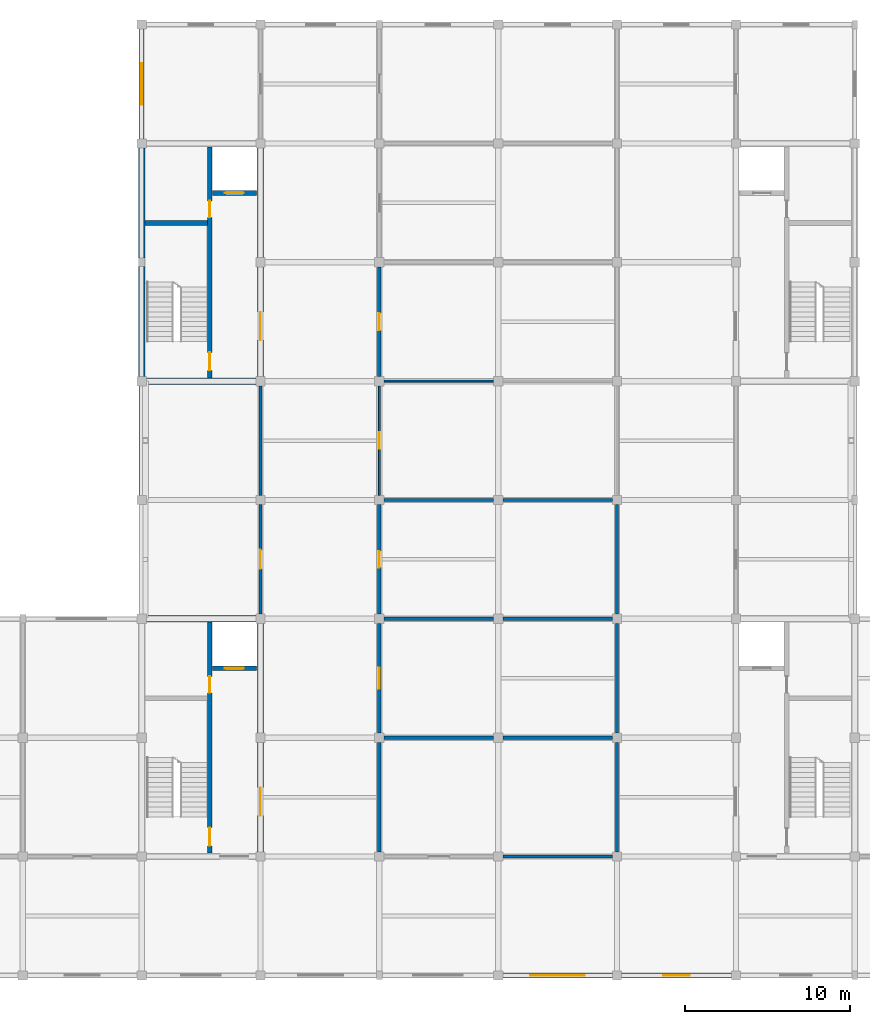
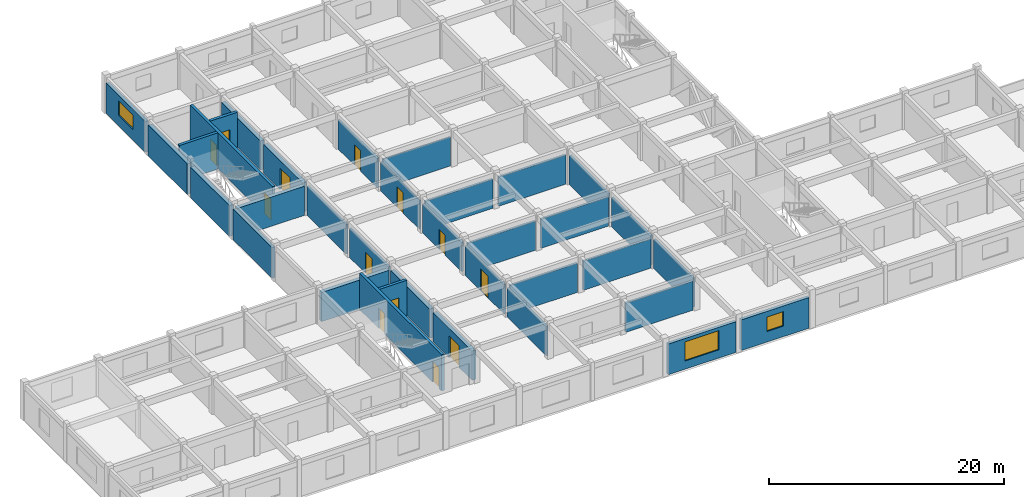
# One storey, part 6 of 10: 35 walls, 13 doors, 3 windows, 16 openings.
"""IFC4 building model written with IfcOpenShell, lengths in metres."""

from ifc_helpers import new_model, si_unit, direction, frame, frame_2d, origin, place, context, subcontext, project, spatial, rectangle, extrude, material, layer, layer_set, type_object, element, fill, save


model = new_model("IFC4")

# Units and contexts
model_context = context("Model", 3, precision=1e-05, world=origin(), true_north=direction((0.0, 1.0)))
body_context = subcontext(model_context, "Body", "Model", "MODEL_VIEW")
ifc_project = project(units=[si_unit("LENGTHUNIT", "METRE"), si_unit("AREAUNIT", "SQUARE_METRE"), si_unit("VOLUMEUNIT", "CUBIC_METRE"), si_unit("PLANEANGLEUNIT", "RADIAN"), si_unit("MASSUNIT", "GRAM", prefix="KILO")], contexts=[model_context])

# Site, building, storey
site_placement = place(None, origin())
site = spatial("IfcSite", under=ifc_project, at=site_placement, CompositionType="ELEMENT")
building_placement = place(site_placement, origin())
building = spatial("IfcBuilding", under=site, at=building_placement, Name="Cendaluz Park School", CompositionType="ELEMENT")
storey_placement = place(building_placement, frame((0.0, 0.0, 34.800048828125)))
storey = spatial("IfcBuildingStorey", under=building, at=storey_placement, Name="L08", CompositionType="ELEMENT", Elevation=34.800048828125)

# Wall, opening, door
ifc_material_1 = material(Name="Gypsum Plasterboard on Cold-Formed Stud", Category="gypsum")
ifc_layer_1 = layer(ifc_material_1, 0.199951171875)
ifc_layer_set_1 = layer_set([ifc_layer_1], Name="Gypsum Plasterboard on Cold-Formed Stud")
wall_type_1 = type_object("IfcWallType", Name="W-AC20", PredefinedType="PARTITIONING", material=ifc_layer_set_1)
wall_1_placement = place(storey_placement, frame((72.0, 29.080078125, 0.0), z_axis=(0.0, 0.0, 1.0), x_axis=(0.0, 1.0, 0.0)))
wall_1 = element("IfcWall", 1, at=wall_1_placement, inside=storey, type_object=wall_type_1, Name="WL-FI-BN6", PredefinedType="PARTITIONING", context=body_context, shape_type="SweptSolid", body=[
    extrude(rectangle(XDim=6.639892578125, YDim=0.199951171875, at=frame_2d((3.31982421875, 0.0))), origin(), (0.0, 0.0, 1.0), 3.030029296875),
])
opening_1_placement = place(wall_1_placement, frame((2.739990234375, 0.0, 0.0)))
opening_1 = element("IfcOpeningElement", 2, at=opening_1_placement, cuts=wall_1, Name="Opening DCL-07", PredefinedType="OPENING", context=body_context, shape_type="SweptSolid", body=[
    extrude(rectangle(XDim=1.159912109375, YDim=2.219970703125, at=frame_2d((0.580078125, 1.10986328125))), frame((0.0, 0.112060546875, 0.0), z_axis=(0.0, -1.0, 0.0), x_axis=(1.0, 0.0, 0.0)), (0.0, 0.0, 1.0), 0.223876953125),
])
ifc_material_2 = material(Name="Solid Core Hardwood", Category="wood")
door_type_1 = type_object("IfcDoorType", Name="DCL-07", OperationType="NOTDEFINED", PredefinedType="DOOR", material=ifc_material_2)
door_1_placement = place(opening_1_placement, origin())
door_1 = element("IfcDoor", 3, at=door_1_placement, inside=storey, type_object=door_type_1, Name="D-L08-026", OperationType="SINGLE_SWING_LEFT", OverallHeight=2.219970703125, OverallWidth=1.159912109375, PredefinedType="DOOR", context=body_context, shape_type="SweptSolid", body=[
    extrude(rectangle(XDim=1.159912109375, YDim=2.219970703125, at=frame_2d((0.580078125, 1.10986328125))), frame((0.0, 0.02490234375, 0.0), z_axis=(0.0, -1.0, 0.0), x_axis=(1.0, 0.0, 0.0)), (0.0, 0.0, 1.0), 0.050048828125),
])
fill(opening_1, door_1)

# Walls
wall_2_placement = place(storey_placement, frame((72.0, 36.280029296875, 0.0), z_axis=(0.0, 0.0, 1.0), x_axis=(0.0, 1.0, 0.0)))
element("IfcWall", 4, at=wall_2_placement, inside=storey, type_object=wall_type_1, Name="WL-FI-BN7", PredefinedType="PARTITIONING", context=body_context, shape_type="SweptSolid", body=[
    extrude(rectangle(XDim=6.639892578125, YDim=0.199951171875, at=frame_2d((3.31982421875, 0.0))), origin(), (0.0, 0.0, 1.0), 3.030029296875),
])
for number, where, z_axis, x_axis, name in (
    (5, (79.47998046875, 21.60009765625, 0.0), (0.0, 0.0, 1.0), (1.0, 0.0, 0.0), "WL-FI-BO0"),
    (6, (79.199951171875, 14.679931640625, 0.0), (0.0, 0.0, 1.0), (0.0, 1.0, 0.0), "WL-FI-BO1"),
    (7, (86.679931640625, 14.39990234375, 0.0), (0.0, 0.0, 1.0), (1.0, 0.0, 0.0), "WL-FI-BO2"),
    (8, (86.679931640625, 21.60009765625, 0.0), (0.0, 0.0, 1.0), (1.0, 0.0, 0.0), "WL-FI-BO3"),
    (9, (93.60009765625, 14.679931640625, 0.0), (0.0, 0.0, 1.0), (0.0, 1.0, 0.0), "WL-FI-BO4"),
    (10, (79.47998046875, 28.800048828125, 0.0), (0.0, 0.0, 1.0), (1.0, 0.0, 0.0), "WL-FI-BO5"),
):
    element("IfcWall", number, at=place(storey_placement, frame(where, z_axis=z_axis, x_axis=x_axis)), inside=storey, type_object=wall_type_1, Name=name, PredefinedType="PARTITIONING", context=body_context, shape_type="SweptSolid", body=[
        extrude(rectangle(XDim=6.64013671875, YDim=0.199951171875, at=frame_2d((3.320068359375, 0.0))), origin(), (0.0, 0.0, 1.0), 3.030029296875),
    ])

# Wall, opening, door
wall_3_placement = place(storey_placement, frame((79.199951171875, 21.8798828125, 0.0), z_axis=(0.0, 0.0, 1.0), x_axis=(0.0, 1.0, 0.0)))
wall_3 = element("IfcWall", 11, at=wall_3_placement, inside=storey, type_object=wall_type_1, Name="WL-FI-BO6", PredefinedType="PARTITIONING", context=body_context, shape_type="SweptSolid", body=[
    extrude(rectangle(XDim=6.64013671875, YDim=0.199951171875, at=frame_2d((3.320068359375, 0.0))), origin(), (0.0, 0.0, 1.0), 3.030029296875),
])
opening_2_placement = place(wall_3_placement, frame((2.679931640625, 0.0, 0.0)))
opening_2 = element("IfcOpeningElement", 12, at=opening_2_placement, cuts=wall_3, Name="Opening DCL-10", PredefinedType="OPENING", context=body_context, shape_type="SweptSolid", body=[
    extrude(rectangle(XDim=1.280029296875, YDim=2.280029296875, at=frame_2d((0.64013671875, 1.14013671875))), frame((0.0, 0.112060546875, 0.0), z_axis=(0.0, -1.0, 0.0), x_axis=(1.0, 0.0, 0.0)), (0.0, 0.0, 1.0), 0.223876953125),
])
door_type_2 = type_object("IfcDoorType", Name="DCL-10", OperationType="NOTDEFINED", PredefinedType="DOOR", material=ifc_material_2)
door_2_placement = place(opening_2_placement, frame((1.280029296875, 0.0, 0.0), z_axis=(0.0, 0.0, 1.0), x_axis=(-1.0, 0.0, 0.0)))
door_2 = element("IfcDoor", 13, at=door_2_placement, inside=storey, type_object=door_type_2, Name="D-L08-029", OperationType="SINGLE_SWING_RIGHT", OverallHeight=2.280029296875, OverallWidth=1.280029296875, PredefinedType="DOOR", context=body_context, shape_type="SweptSolid", body=[
    extrude(rectangle(XDim=1.280029296875, YDim=2.280029296875, at=frame_2d((0.64013671875, 1.14013671875))), frame((0.0, 0.02490234375, 0.0), z_axis=(0.0, -1.0, 0.0), x_axis=(1.0, 0.0, 0.0)), (0.0, 0.0, 1.0), 0.050048828125),
])
fill(opening_2, door_2)

# Walls
for number, where, z_axis, x_axis, name in (
    (14, (86.679931640625, 28.800048828125, 0.0), (0.0, 0.0, 1.0), (1.0, 0.0, 0.0), "WL-FI-BO7"),
    (15, (93.60009765625, 21.8798828125, 0.0), (0.0, 0.0, 1.0), (0.0, 1.0, 0.0), "WL-FI-BO8"),
    (16, (79.47998046875, 36.0, 0.0), (0.0, 0.0, 1.0), (1.0, 0.0, 0.0), "WL-FI-BO9"),
):
    element("IfcWall", number, at=place(storey_placement, frame(where, z_axis=z_axis, x_axis=x_axis)), inside=storey, type_object=wall_type_1, Name=name, PredefinedType="PARTITIONING", context=body_context, shape_type="SweptSolid", body=[
        extrude(rectangle(XDim=6.64013671875, YDim=0.199951171875, at=frame_2d((3.320068359375, 0.0))), origin(), (0.0, 0.0, 1.0), 3.030029296875),
    ])

# Wall, opening, door
wall_4_placement = place(storey_placement, frame((79.199951171875, 29.080078125, 0.0), z_axis=(0.0, 0.0, 1.0), x_axis=(0.0, 1.0, 0.0)))
wall_4 = element("IfcWall", 17, at=wall_4_placement, inside=storey, type_object=wall_type_1, Name="WL-FI-BP0", PredefinedType="PARTITIONING", context=body_context, shape_type="SweptSolid", body=[
    extrude(rectangle(XDim=6.639892578125, YDim=0.199951171875, at=frame_2d((3.31982421875, 0.0))), origin(), (0.0, 0.0, 1.0), 3.030029296875),
])
opening_3_placement = place(wall_4_placement, frame((2.820068359375, 0.0, 0.0)))
opening_3 = element("IfcOpeningElement", 18, at=opening_3_placement, cuts=wall_4, Name="Opening DCL-01", PredefinedType="OPENING", context=body_context, shape_type="SweptSolid", body=[
    extrude(rectangle(XDim=1.0, YDim=2.10009765625, at=frame_2d((0.5, 1.050048828125))), frame((0.0, 0.112060546875, 0.0), z_axis=(0.0, -1.0, 0.0), x_axis=(1.0, 0.0, 0.0)), (0.0, 0.0, 1.0), 0.223876953125),
])
door_type_3 = type_object("IfcDoorType", Name="DCL-01", OperationType="NOTDEFINED", PredefinedType="DOOR", material=ifc_material_2)
door_3_placement = place(opening_3_placement, frame((1.0, 0.0, 0.0), z_axis=(0.0, 0.0, 1.0), x_axis=(-1.0, 0.0, 0.0)))
door_3 = element("IfcDoor", 19, at=door_3_placement, inside=storey, type_object=door_type_3, Name="D-L08-030", OperationType="SINGLE_SWING_LEFT", OverallHeight=2.10009765625, OverallWidth=1.0, PredefinedType="DOOR", context=body_context, shape_type="SweptSolid", body=[
    extrude(rectangle(XDim=1.0, YDim=2.10009765625, at=frame_2d((0.5, 1.050048828125))), frame((0.0, 0.02490234375, 0.0), z_axis=(0.0, -1.0, 0.0), x_axis=(1.0, 0.0, 0.0)), (0.0, 0.0, 1.0), 0.050048828125),
])
fill(opening_3, door_3)

# Walls
wall_5_placement = place(storey_placement, frame((86.679931640625, 36.0, 0.0), z_axis=(0.0, 0.0, 1.0), x_axis=(1.0, 0.0, 0.0)))
element("IfcWall", 20, at=wall_5_placement, inside=storey, type_object=wall_type_1, Name="WL-FI-BP1", PredefinedType="PARTITIONING", context=body_context, shape_type="SweptSolid", body=[
    extrude(rectangle(XDim=6.64013671875, YDim=0.199951171875, at=frame_2d((3.320068359375, 0.0))), origin(), (0.0, 0.0, 1.0), 3.030029296875),
])
wall_6_placement = place(storey_placement, frame((93.60009765625, 29.080078125, 0.0), z_axis=(0.0, 0.0, 1.0), x_axis=(0.0, 1.0, 0.0)))
element("IfcWall", 21, at=wall_6_placement, inside=storey, type_object=wall_type_1, Name="WL-FI-BP2", PredefinedType="PARTITIONING", context=body_context, shape_type="SweptSolid", body=[
    extrude(rectangle(XDim=6.639892578125, YDim=0.199951171875, at=frame_2d((3.31982421875, 0.0))), origin(), (0.0, 0.0, 1.0), 3.030029296875),
])

# Wall, opening, door
wall_7_placement = place(storey_placement, frame((79.199951171875, 43.47998046875, 0.0), z_axis=(0.0, 0.0, 1.0), x_axis=(0.0, 1.0, 0.0)))
wall_7 = element("IfcWall", 22, at=wall_7_placement, inside=storey, type_object=wall_type_1, Name="WL-FI-BP8", PredefinedType="PARTITIONING", context=body_context, shape_type="SweptSolid", body=[
    extrude(rectangle(XDim=6.64013671875, YDim=0.199951171875, at=frame_2d((3.320068359375, 0.0))), origin(), (0.0, 0.0, 1.0), 3.030029296875),
])
opening_4_placement = place(wall_7_placement, frame((2.800048828125, 0.0, 0.0)))
opening_4 = element("IfcOpeningElement", 23, at=opening_4_placement, cuts=wall_7, Name="Opening DCL-03", PredefinedType="OPENING", context=body_context, shape_type="SweptSolid", body=[
    extrude(rectangle(XDim=1.0400390625, YDim=2.139892578125, at=frame_2d((0.52001953125, 1.06982421875))), frame((0.0, 0.112060546875, 0.0), z_axis=(0.0, -1.0, 0.0), x_axis=(1.0, 0.0, 0.0)), (0.0, 0.0, 1.0), 0.223876953125),
])
door_type_4 = type_object("IfcDoorType", Name="DCL-03", OperationType="NOTDEFINED", PredefinedType="DOOR", material=ifc_material_2)
door_4_placement = place(opening_4_placement, frame((1.0400390625, 0.0, 0.0), z_axis=(0.0, 0.0, 1.0), x_axis=(-1.0, 0.0, 0.0)))
door_4 = element("IfcDoor", 24, at=door_4_placement, inside=storey, type_object=door_type_4, Name="D-L08-032", OperationType="SINGLE_SWING_LEFT", OverallHeight=2.139892578125, OverallWidth=1.0400390625, PredefinedType="DOOR", context=body_context, shape_type="SweptSolid", body=[
    extrude(rectangle(XDim=1.0400390625, YDim=2.139892578125, at=frame_2d((0.52001953125, 1.06982421875))), frame((0.0, 0.02490234375, 0.0), z_axis=(0.0, -1.0, 0.0), x_axis=(1.0, 0.0, 0.0)), (0.0, 0.0, 1.0), 0.050048828125),
])
fill(opening_4, door_4)

# Wall
ifc_material_3 = material(Name="Cross-laminated timber CLT C24", Category="wood")
ifc_layer_2 = layer(ifc_material_3, 0.300048828125)
ifc_layer_set_2 = layer_set([ifc_layer_2], Name="Cross-laminated timber CLT C24")
wall_type_2 = type_object("IfcWallType", Name="W-EX30", PredefinedType="SOLIDWALL", material=ifc_layer_set_2)
wall_8_placement = place(storey_placement, frame((64.800048828125, 36.280029296875, 0.0), z_axis=(0.0, 0.0, 1.0), x_axis=(0.0, 1.0, 0.0)))
element("IfcWall", 25, at=wall_8_placement, inside=storey, type_object=wall_type_2, Name="WL-FI-AB3", PredefinedType="SOLIDWALL", context=body_context, shape_type="SweptSolid", body=[
    extrude(rectangle(XDim=6.639892578125, YDim=0.300048828125, at=frame_2d((3.31982421875, 0.0))), origin(), (0.0, 0.0, 1.0), 3.18994140625),
])

# Wall, opening, window
wall_9_placement = place(storey_placement, frame((64.800048828125, 57.8798828125, 0.0), z_axis=(0.0, 0.0, 1.0), x_axis=(0.0, 1.0, 0.0)))
wall_9 = element("IfcWall", 26, at=wall_9_placement, inside=storey, type_object=wall_type_2, Name="WL-FI-AB5", PredefinedType="SOLIDWALL", context=body_context, shape_type="SweptSolid", body=[
    extrude(rectangle(XDim=6.64013671875, YDim=0.300048828125, at=frame_2d((3.320068359375, 0.0))), origin(), (0.0, 0.0, 1.0), 3.18994140625),
])
opening_5_placement = place(wall_9_placement, frame((2.070068359375, 0.0, 1.10009765625)))
opening_5 = element("IfcOpeningElement", 27, at=opening_5_placement, cuts=wall_9, Name="Opening WN-19", PredefinedType="OPENING", context=body_context, shape_type="SweptSolid", body=[
    extrude(rectangle(XDim=2.5, YDim=1.5, at=frame_2d((1.25, 0.75))), frame((0.0, 0.162109375, 0.0), z_axis=(0.0, -1.0, 0.0), x_axis=(1.0, 0.0, 0.0)), (0.0, 0.0, 1.0), 0.323974609375),
])
ifc_material_4 = material(Name="Tempered Low-E Double Glazing", Category="glass")
window_type_1 = type_object("IfcWindowType", Name="WN-19", PartitioningType="SINGLE_PANEL", PredefinedType="WINDOW", material=ifc_material_4)
window_1_placement = place(opening_5_placement, origin())
window_1 = element("IfcWindow", 28, at=window_1_placement, inside=storey, type_object=window_type_1, Name="WN-L08-014", OverallHeight=1.5, OverallWidth=2.5, PartitioningType="SINGLE_PANEL", PredefinedType="WINDOW", context=body_context, shape_type="SweptSolid", body=[
    extrude(rectangle(XDim=2.5, YDim=1.5, at=frame_2d((1.25, 0.75))), frame((0.0, 0.030029296875, 0.0), z_axis=(0.0, -1.0, 0.0), x_axis=(1.0, 0.0, 0.0)), (0.0, 0.0, 1.0), 0.06005859375),
])
fill(opening_5, window_1)

wall_10_placement = place(storey_placement, frame((86.679931640625, 7.199951171875, 0.0), z_axis=(0.0, 0.0, 1.0), x_axis=(1.0, 0.0, 0.0)))
wall_10 = element("IfcWall", 29, at=wall_10_placement, inside=storey, type_object=wall_type_2, Name="WL-FI-AC0", PredefinedType="SOLIDWALL", context=body_context, shape_type="SweptSolid", body=[
    extrude(rectangle(XDim=6.64013671875, YDim=0.300048828125, at=frame_2d((3.320068359375, 0.0))), origin(), (0.0, 0.0, 1.0), 3.18994140625),
])
opening_6_placement = place(wall_10_placement, frame((1.669921875, 0.0, 0.85009765625)))
opening_6 = element("IfcOpeningElement", 30, at=opening_6_placement, cuts=wall_10, Name="Opening WN-15", PredefinedType="OPENING", context=body_context, shape_type="SweptSolid", body=[
    extrude(rectangle(XDim=3.300048828125, YDim=2.0, at=frame_2d((1.64990234375, 1.0))), frame((0.0, 0.162109375, 0.0), z_axis=(0.0, -1.0, 0.0), x_axis=(1.0, 0.0, 0.0)), (0.0, 0.0, 1.0), 0.323974609375),
])
window_type_2 = type_object("IfcWindowType", Name="WN-15", PartitioningType="SINGLE_PANEL", PredefinedType="WINDOW", material=ifc_material_4)
window_2_placement = place(opening_6_placement, origin())
window_2 = element("IfcWindow", 31, at=window_2_placement, inside=storey, type_object=window_type_2, Name="WN-L08-019", OverallHeight=2.0, OverallWidth=3.300048828125, PartitioningType="SINGLE_PANEL", PredefinedType="WINDOW", context=body_context, shape_type="SweptSolid", body=[
    extrude(rectangle(XDim=3.300048828125, YDim=2.0, at=frame_2d((1.64990234375, 1.0))), frame((0.0, 0.030029296875, 0.0), z_axis=(0.0, -1.0, 0.0), x_axis=(1.0, 0.0, 0.0)), (0.0, 0.0, 1.0), 0.06005859375),
])
fill(opening_6, window_2)

wall_11_placement = place(storey_placement, frame((93.8798828125, 7.199951171875, 0.0), z_axis=(0.0, 0.0, 1.0), x_axis=(1.0, 0.0, 0.0)))
wall_11 = element("IfcWall", 32, at=wall_11_placement, inside=storey, type_object=wall_type_2, Name="WL-FI-AC2", PredefinedType="SOLIDWALL", context=body_context, shape_type="SweptSolid", body=[
    extrude(rectangle(XDim=6.64013671875, YDim=0.300048828125, at=frame_2d((3.320068359375, 0.0))), origin(), (0.0, 0.0, 1.0), 3.18994140625),
])
opening_7_placement = place(wall_11_placement, frame((2.52001953125, 0.0, 1.10009765625)))
opening_7 = element("IfcOpeningElement", 33, at=opening_7_placement, cuts=wall_11, Name="Opening WN-16", PredefinedType="OPENING", context=body_context, shape_type="SweptSolid", body=[
    extrude(rectangle(XDim=1.60009765625, YDim=1.5, at=frame_2d((0.800048828125, 0.75))), frame((0.0, 0.162109375, 0.0), z_axis=(0.0, -1.0, 0.0), x_axis=(1.0, 0.0, 0.0)), (0.0, 0.0, 1.0), 0.323974609375),
])
window_type_3 = type_object("IfcWindowType", Name="WN-16", PartitioningType="SINGLE_PANEL", PredefinedType="WINDOW", material=ifc_material_4)
window_3_placement = place(opening_7_placement, origin())
window_3 = element("IfcWindow", 34, at=window_3_placement, inside=storey, type_object=window_type_3, Name="WN-L08-021", OverallHeight=1.5, OverallWidth=1.60009765625, PartitioningType="SINGLE_PANEL", PredefinedType="WINDOW", context=body_context, shape_type="SweptSolid", body=[
    extrude(rectangle(XDim=1.60009765625, YDim=1.5, at=frame_2d((0.800048828125, 0.75))), frame((0.0, 0.030029296875, 0.0), z_axis=(0.0, -1.0, 0.0), x_axis=(1.0, 0.0, 0.0)), (0.0, 0.0, 1.0), 0.06005859375),
])
fill(opening_7, window_3)

# Wall, openings, doors
ifc_material_5 = material(Name="Concrete C40/50", Category="concrete")
ifc_layer_3 = layer(ifc_material_5, 0.280029296875)
ifc_layer_set_3 = layer_set([ifc_layer_3], Name="Concrete C40/50")
wall_type_3 = type_object("IfcWallType", Name="W-FW28", PredefinedType="SHEAR", material=ifc_layer_set_3)
wall_12_placement = place(storey_placement, frame((68.919921875, 14.60009765625, 0.0), z_axis=(0.0, 0.0, 1.0), x_axis=(0.0, 1.0, 0.0)))
wall_12 = element("IfcWall", 35, at=wall_12_placement, inside=storey, type_object=wall_type_3, Name="WL-FI-BI9", PredefinedType="SHEAR", context=body_context, shape_type="SweptSolid", body=[
    extrude(rectangle(XDim=14.0, YDim=0.280029296875, at=frame_2d((7.0, 0.0))), origin(), (0.0, 0.0, 1.0), 3.760009765625),
])
opening_8_placement = place(wall_12_placement, frame((0.449951171875, 0.0, 0.0)))
opening_8 = element("IfcOpeningElement", 36, at=opening_8_placement, cuts=wall_12, Name="Opening DST-01", PredefinedType="OPENING", context=body_context, shape_type="SweptSolid", body=[
    extrude(rectangle(XDim=1.10009765625, YDim=2.14990234375, at=frame_2d((0.550048828125, 1.074951171875))), frame((0.0, 0.152099609375, 0.0), z_axis=(0.0, -1.0, 0.0), x_axis=(1.0, 0.0, 0.0)), (0.0, 0.0, 1.0), 0.303955078125),
])
opening_9_placement = place(wall_12_placement, frame((9.719970703125, 0.0, 0.0)))
opening_9 = element("IfcOpeningElement", 37, at=opening_9_placement, cuts=wall_12, Name="Opening DFC-01", PredefinedType="OPENING", context=body_context, shape_type="SweptSolid", body=[
    extrude(rectangle(XDim=1.0, YDim=2.14990234375, at=frame_2d((0.5, 1.074951171875))), frame((0.0, 0.152099609375, 0.0), z_axis=(0.0, -1.0, 0.0), x_axis=(1.0, 0.0, 0.0)), (0.0, 0.0, 1.0), 0.303955078125),
])
door_type_5 = type_object("IfcDoorType", Name="DFC-01", OperationType="NOTDEFINED", PredefinedType="DOOR", material=ifc_material_2)
door_5_placement = place(opening_9_placement, origin())
door_5 = element("IfcDoor", 38, at=door_5_placement, inside=storey, type_object=door_type_5, Name="D-L08-004", OperationType="SINGLE_SWING_RIGHT", OverallHeight=2.14990234375, OverallWidth=1.0, PredefinedType="DOOR", context=body_context, shape_type="SweptSolid", body=[
    extrude(rectangle(XDim=1.0, YDim=2.14990234375, at=frame_2d((0.5, 1.074951171875))), frame((0.0, 0.02490234375, 0.0), z_axis=(0.0, -1.0, 0.0), x_axis=(1.0, 0.0, 0.0)), (0.0, 0.0, 1.0), 0.050048828125),
])
fill(opening_9, door_5)
door_type_6 = type_object("IfcDoorType", Name="DST-01", OperationType="NOTDEFINED", PredefinedType="DOOR", material=ifc_material_2)
door_6_placement = place(opening_8_placement, origin())
door_6 = element("IfcDoor", 39, at=door_6_placement, inside=storey, type_object=door_type_6, Name="D-L08-003", OperationType="SINGLE_SWING_LEFT", OverallHeight=2.14990234375, OverallWidth=1.10009765625, PredefinedType="DOOR", context=body_context, shape_type="SweptSolid", body=[
    extrude(rectangle(XDim=1.10009765625, YDim=2.14990234375, at=frame_2d((0.550048828125, 1.074951171875))), frame((0.0, 0.02490234375, 0.0), z_axis=(0.0, -1.0, 0.0), x_axis=(1.0, 0.0, 0.0)), (0.0, 0.0, 1.0), 0.050048828125),
])
fill(opening_8, door_6)

# Wall, opening, door
wall_13_placement = place(storey_placement, frame((69.080078125, 25.800048828125, 0.0), z_axis=(0.0, 0.0, 1.0), x_axis=(1.0, 0.0, 0.0)))
wall_13 = element("IfcWall", 40, at=wall_13_placement, inside=storey, type_object=wall_type_3, Name="WL-FI-BJ1", PredefinedType="SHEAR", context=body_context, shape_type="SweptSolid", body=[
    extrude(rectangle(XDim=2.679931640625, YDim=0.280029296875, at=frame_2d((1.33984375, 0.0))), origin(), (0.0, 0.0, 1.0), 3.760009765625),
])
opening_10_placement = place(wall_13_placement, frame((0.764892578125, 0.0, 0.0)))
opening_10 = element("IfcOpeningElement", 41, at=opening_10_placement, cuts=wall_13, Name="Opening LD-01", PredefinedType="OPENING", context=body_context, shape_type="SweptSolid", body=[
    extrude(rectangle(XDim=1.14990234375, YDim=2.199951171875, at=frame_2d((0.574951171875, 1.10009765625))), frame((0.0, 0.152099609375, 0.0), z_axis=(0.0, -1.0, 0.0), x_axis=(1.0, 0.0, 0.0)), (0.0, 0.0, 1.0), 0.303955078125),
])
ifc_material_6 = material(Name="Stainless Steel 316L", Category="steel")
door_type_7 = type_object("IfcDoorType", Name="LD-01", OperationType="DOUBLE_DOOR_SLIDING", PredefinedType="DOOR", material=ifc_material_6)
door_7_placement = place(opening_10_placement, frame((1.14990234375, 0.0, 0.0), z_axis=(0.0, 0.0, 1.0), x_axis=(-1.0, 0.0, 0.0)))
door_7 = element("IfcDoor", 42, at=door_7_placement, inside=storey, type_object=door_type_7, Name="D-L08-005", OperationType="DOUBLE_DOOR_SLIDING", OverallHeight=2.199951171875, OverallWidth=1.14990234375, PredefinedType="DOOR", context=body_context, shape_type="SweptSolid", body=[
    extrude(rectangle(XDim=1.14990234375, YDim=2.199951171875, at=frame_2d((0.574951171875, 1.10009765625))), frame((0.0, 0.02490234375, 0.0), z_axis=(0.0, -1.0, 0.0), x_axis=(1.0, 0.0, 0.0)), (0.0, 0.0, 1.0), 0.050048828125),
])
fill(opening_10, door_7)

# Wall, openings, doors
wall_14_placement = place(storey_placement, frame((68.919921875, 43.39990234375, 0.0), z_axis=(0.0, 0.0, 1.0), x_axis=(0.0, 1.0, 0.0)))
wall_14 = element("IfcWall", 43, at=wall_14_placement, inside=storey, type_object=wall_type_3, Name="WL-FI-BK7", PredefinedType="SHEAR", context=body_context, shape_type="SweptSolid", body=[
    extrude(rectangle(XDim=14.0, YDim=0.280029296875, at=frame_2d((7.0, 0.0))), origin(), (0.0, 0.0, 1.0), 3.760009765625),
])
opening_11_placement = place(wall_14_placement, frame((0.449951171875, 0.0, 0.0)))
opening_11 = element("IfcOpeningElement", 44, at=opening_11_placement, cuts=wall_14, Name="Opening DST-01", PredefinedType="OPENING", context=body_context, shape_type="SweptSolid", body=[
    extrude(rectangle(XDim=1.10009765625, YDim=2.14990234375, at=frame_2d((0.550048828125, 1.074951171875))), frame((0.0, 0.152099609375, 0.0), z_axis=(0.0, -1.0, 0.0), x_axis=(1.0, 0.0, 0.0)), (0.0, 0.0, 1.0), 0.303955078125),
])
opening_12_placement = place(wall_14_placement, frame((9.719970703125, 0.0, 0.0)))
opening_12 = element("IfcOpeningElement", 45, at=opening_12_placement, cuts=wall_14, Name="Opening DFC-01", PredefinedType="OPENING", context=body_context, shape_type="SweptSolid", body=[
    extrude(rectangle(XDim=1.0, YDim=2.14990234375, at=frame_2d((0.5, 1.074951171875))), frame((0.0, 0.152099609375, 0.0), z_axis=(0.0, -1.0, 0.0), x_axis=(1.0, 0.0, 0.0)), (0.0, 0.0, 1.0), 0.303955078125),
])
door_8_placement = place(opening_12_placement, origin())
door_8 = element("IfcDoor", 46, at=door_8_placement, inside=storey, type_object=door_type_5, Name="D-L08-013", OperationType="SINGLE_SWING_RIGHT", OverallHeight=2.14990234375, OverallWidth=1.0, PredefinedType="DOOR", context=body_context, shape_type="SweptSolid", body=[
    extrude(rectangle(XDim=1.0, YDim=2.14990234375, at=frame_2d((0.5, 1.074951171875))), frame((0.0, 0.02490234375, 0.0), z_axis=(0.0, -1.0, 0.0), x_axis=(1.0, 0.0, 0.0)), (0.0, 0.0, 1.0), 0.050048828125),
])
fill(opening_12, door_8)
door_9_placement = place(opening_11_placement, origin())
door_9 = element("IfcDoor", 47, at=door_9_placement, inside=storey, type_object=door_type_6, Name="D-L08-012", OperationType="SINGLE_SWING_LEFT", OverallHeight=2.14990234375, OverallWidth=1.10009765625, PredefinedType="DOOR", context=body_context, shape_type="SweptSolid", body=[
    extrude(rectangle(XDim=1.10009765625, YDim=2.14990234375, at=frame_2d((0.550048828125, 1.074951171875))), frame((0.0, 0.02490234375, 0.0), z_axis=(0.0, -1.0, 0.0), x_axis=(1.0, 0.0, 0.0)), (0.0, 0.0, 1.0), 0.050048828125),
])
fill(opening_11, door_9)

# Wall
wall_15_placement = place(storey_placement, frame((65.0, 52.780029296875, 0.0), z_axis=(0.0, 0.0, 1.0), x_axis=(1.0, 0.0, 0.0)))
element("IfcWall", 48, at=wall_15_placement, inside=storey, type_object=wall_type_3, Name="WL-FI-BK8", PredefinedType="SHEAR", context=body_context, shape_type="SweptSolid", body=[
    extrude(rectangle(XDim=3.780029296875, YDim=0.280029296875, at=frame_2d((1.89013671875, 0.0))), origin(), (0.0, 0.0, 1.0), 3.760009765625),
])

# Wall, opening, door
wall_16_placement = place(storey_placement, frame((69.080078125, 54.60009765625, 0.0), z_axis=(0.0, 0.0, 1.0), x_axis=(1.0, 0.0, 0.0)))
wall_16 = element("IfcWall", 49, at=wall_16_placement, inside=storey, type_object=wall_type_3, Name="WL-FI-BK9", PredefinedType="SHEAR", context=body_context, shape_type="SweptSolid", body=[
    extrude(rectangle(XDim=2.679931640625, YDim=0.280029296875, at=frame_2d((1.33984375, 0.0))), origin(), (0.0, 0.0, 1.0), 3.760009765625),
])
opening_13_placement = place(wall_16_placement, frame((0.764892578125, 0.0, 0.0)))
opening_13 = element("IfcOpeningElement", 50, at=opening_13_placement, cuts=wall_16, Name="Opening LD-01", PredefinedType="OPENING", context=body_context, shape_type="SweptSolid", body=[
    extrude(rectangle(XDim=1.14990234375, YDim=2.199951171875, at=frame_2d((0.574951171875, 1.10009765625))), frame((0.0, 0.152099609375, 0.0), z_axis=(0.0, -1.0, 0.0), x_axis=(1.0, 0.0, 0.0)), (0.0, 0.0, 1.0), 0.303955078125),
])
door_10_placement = place(opening_13_placement, frame((1.14990234375, 0.0, 0.0), z_axis=(0.0, 0.0, 1.0), x_axis=(-1.0, 0.0, 0.0)))
door_10 = element("IfcDoor", 51, at=door_10_placement, inside=storey, type_object=door_type_7, Name="D-L08-014", OperationType="DOUBLE_DOOR_SLIDING", OverallHeight=2.199951171875, OverallWidth=1.14990234375, PredefinedType="DOOR", context=body_context, shape_type="SweptSolid", body=[
    extrude(rectangle(XDim=1.14990234375, YDim=2.199951171875, at=frame_2d((0.574951171875, 1.10009765625))), frame((0.0, 0.02490234375, 0.0), z_axis=(0.0, -1.0, 0.0), x_axis=(1.0, 0.0, 0.0)), (0.0, 0.0, 1.0), 0.050048828125),
])
fill(opening_13, door_10)

# Wall
ifc_layer_4 = layer(ifc_material_1, 0.1201171875)
ifc_layer_set_4 = layer_set([ifc_layer_4], Name="Gypsum Plasterboard on Cold-Formed Stud")
wall_type_4 = type_object("IfcWallType", Name="W-MV12", PredefinedType="MOVABLE", material=ifc_layer_set_4)
wall_17_placement = place(storey_placement, frame((79.47998046875, 43.199951171875, 0.0), z_axis=(0.0, 0.0, 1.0), x_axis=(1.0, 0.0, 0.0)))
element("IfcWall", 52, at=wall_17_placement, inside=storey, type_object=wall_type_4, Name="WL-FI-BP3", PredefinedType="MOVABLE", context=body_context, shape_type="SweptSolid", body=[
    extrude(rectangle(XDim=6.64013671875, YDim=0.1201171875, at=frame_2d((3.320068359375, 0.0))), origin(), (0.0, 0.0, 1.0), 3.030029296875),
])

# Wall, opening, door
wall_18_placement = place(storey_placement, frame((79.199951171875, 36.280029296875, 0.0), z_axis=(0.0, 0.0, 1.0), x_axis=(0.0, 1.0, 0.0)))
wall_18 = element("IfcWall", 53, at=wall_18_placement, inside=storey, type_object=wall_type_4, Name="WL-FI-BP4", PredefinedType="MOVABLE", context=body_context, shape_type="SweptSolid", body=[
    extrude(rectangle(XDim=6.639892578125, YDim=0.1201171875, at=frame_2d((3.31982421875, 0.0))), origin(), (0.0, 0.0, 1.0), 3.030029296875),
])
opening_14_placement = place(wall_18_placement, frame((2.81005859375, 0.0, 0.0)))
opening_14 = element("IfcOpeningElement", 54, at=opening_14_placement, cuts=wall_18, Name="Opening DCL-02", PredefinedType="OPENING", context=body_context, shape_type="SweptSolid", body=[
    extrude(rectangle(XDim=1.02001953125, YDim=2.1201171875, at=frame_2d((0.510009765625, 1.06005859375))), frame((0.0, 0.072021484375, 0.0), z_axis=(0.0, -1.0, 0.0), x_axis=(1.0, 0.0, 0.0)), (0.0, 0.0, 1.0), 0.14404296875),
])
door_type_8 = type_object("IfcDoorType", Name="DCL-02", OperationType="NOTDEFINED", PredefinedType="DOOR", material=ifc_material_2)
door_11_placement = place(opening_14_placement, frame((1.02001953125, 0.0, 0.0), z_axis=(0.0, 0.0, 1.0), x_axis=(-1.0, 0.0, 0.0)))
door_11 = element("IfcDoor", 55, at=door_11_placement, inside=storey, type_object=door_type_8, Name="D-L08-031", OperationType="SINGLE_SWING_RIGHT", OverallHeight=2.1201171875, OverallWidth=1.02001953125, PredefinedType="DOOR", context=body_context, shape_type="SweptSolid", body=[
    extrude(rectangle(XDim=1.02001953125, YDim=2.1201171875, at=frame_2d((0.510009765625, 1.06005859375))), frame((0.0, 0.02490234375, 0.0), z_axis=(0.0, -1.0, 0.0), x_axis=(1.0, 0.0, 0.0)), (0.0, 0.0, 1.0), 0.050048828125),
])
fill(opening_14, door_11)

ifc_layer_5 = layer(ifc_material_5, 0.3798828125)
ifc_layer_set_5 = layer_set([ifc_layer_5], Name="Concrete C40/50")
wall_type_5 = type_object("IfcWallType", Name="W-SH38", PredefinedType="SHEAR", material=ifc_layer_set_5)
wall_19_placement = place(storey_placement, frame((72.0, 14.679931640625, 0.0), z_axis=(0.0, 0.0, 1.0), x_axis=(0.0, 1.0, 0.0)))
wall_19 = element("IfcWall", 56, at=wall_19_placement, inside=storey, type_object=wall_type_5, Name="WL-FI-BI5", PredefinedType="SHEAR", context=body_context, shape_type="SweptSolid", body=[
    extrude(rectangle(XDim=6.64013671875, YDim=0.3798828125, at=frame_2d((3.320068359375, 0.0))), origin(), (0.0, 0.0, 1.0), 3.030029296875),
])
opening_15_placement = place(wall_19_placement, frame((2.199951171875, 0.0, 0.0)))
opening_15 = element("IfcOpeningElement", 57, at=opening_15_placement, cuts=wall_19, Name="Opening DLB-02", PredefinedType="OPENING", context=body_context, shape_type="SweptSolid", body=[
    extrude(rectangle(XDim=1.699951171875, YDim=2.25, at=frame_2d((0.85009765625, 1.125))), frame((0.0, 0.201904296875, 0.0), z_axis=(0.0, -1.0, 0.0), x_axis=(1.0, 0.0, 0.0)), (0.0, 0.0, 1.0), 0.40380859375),
])
door_type_9 = type_object("IfcDoorType", Name="DLB-02", OperationType="DOUBLE_DOOR_SINGLE_SWING", PredefinedType="DOOR", material=ifc_material_2)
door_12_placement = place(opening_15_placement, origin())
door_12 = element("IfcDoor", 58, at=door_12_placement, inside=storey, type_object=door_type_9, Name="D-L08-001", OperationType="DOUBLE_DOOR_SINGLE_SWING", OverallHeight=2.25, OverallWidth=1.699951171875, PredefinedType="DOOR", context=body_context, shape_type="SweptSolid", body=[
    extrude(rectangle(XDim=1.699951171875, YDim=2.25, at=frame_2d((0.85009765625, 1.125))), frame((0.0, 0.02490234375, 0.0), z_axis=(0.0, -1.0, 0.0), x_axis=(1.0, 0.0, 0.0)), (0.0, 0.0, 1.0), 0.050048828125),
])
fill(opening_15, door_12)

# Walls
wall_20_placement = place(storey_placement, frame((72.0, 21.8798828125, 0.0), z_axis=(0.0, 0.0, 1.0), x_axis=(0.0, 1.0, 0.0)))
element("IfcWall", 59, at=wall_20_placement, inside=storey, type_object=wall_type_5, Name="WL-FI-BI6", PredefinedType="SHEAR", context=body_context, shape_type="SweptSolid", body=[
    extrude(rectangle(XDim=6.64013671875, YDim=0.3798828125, at=frame_2d((3.320068359375, 0.0))), origin(), (0.0, 0.0, 1.0), 3.030029296875),
])
wall_21_placement = place(storey_placement, frame((65.080078125, 28.800048828125, 0.0), z_axis=(0.0, 0.0, 1.0), x_axis=(1.0, 0.0, 0.0)))
element("IfcWall", 60, at=wall_21_placement, inside=storey, type_object=wall_type_5, Name="WL-FI-BI8", PredefinedType="SHEAR", context=body_context, shape_type="SweptSolid", body=[
    extrude(rectangle(XDim=6.639892578125, YDim=0.3798828125, at=frame_2d((3.31982421875, 0.0))), origin(), (0.0, 0.0, 1.0), 3.030029296875),
])
wall_22_placement = place(storey_placement, frame((64.800048828125, 43.47998046875, 0.0), z_axis=(0.0, 0.0, 1.0), x_axis=(0.0, 1.0, 0.0)))
element("IfcWall", 61, at=wall_22_placement, inside=storey, type_object=wall_type_5, Name="WL-FI-BK1", PredefinedType="SHEAR", context=body_context, shape_type="SweptSolid", body=[
    extrude(rectangle(XDim=6.659912109375, YDim=0.3798828125, at=frame_2d((3.330078125, 0.0))), origin(), (0.0, 0.0, 1.0), 3.18994140625),
])
wall_23_placement = place(storey_placement, frame((64.800048828125, 50.659912109375, 0.0), z_axis=(0.0, 0.0, 1.0), x_axis=(0.0, 1.0, 0.0)))
element("IfcWall", 62, at=wall_23_placement, inside=storey, type_object=wall_type_5, Name="WL-FI-BK2", PredefinedType="SHEAR", context=body_context, shape_type="SweptSolid", body=[
    extrude(rectangle(XDim=6.66015625, YDim=0.3798828125, at=frame_2d((3.330078125, 0.0))), origin(), (0.0, 0.0, 1.0), 3.18994140625),
])

# Wall, opening, door
wall_24_placement = place(storey_placement, frame((72.0, 43.47998046875, 0.0), z_axis=(0.0, 0.0, 1.0), x_axis=(0.0, 1.0, 0.0)))
wall_24 = element("IfcWall", 63, at=wall_24_placement, inside=storey, type_object=wall_type_5, Name="WL-FI-BK3", PredefinedType="SHEAR", context=body_context, shape_type="SweptSolid", body=[
    extrude(rectangle(XDim=6.64013671875, YDim=0.3798828125, at=frame_2d((3.320068359375, 0.0))), origin(), (0.0, 0.0, 1.0), 3.030029296875),
])
opening_16_placement = place(wall_24_placement, frame((2.199951171875, 0.0, 0.0)))
opening_16 = element("IfcOpeningElement", 64, at=opening_16_placement, cuts=wall_24, Name="Opening DLB-02", PredefinedType="OPENING", context=body_context, shape_type="SweptSolid", body=[
    extrude(rectangle(XDim=1.699951171875, YDim=2.25, at=frame_2d((0.85009765625, 1.125))), frame((0.0, 0.201904296875, 0.0), z_axis=(0.0, -1.0, 0.0), x_axis=(1.0, 0.0, 0.0)), (0.0, 0.0, 1.0), 0.40380859375),
])
door_13_placement = place(opening_16_placement, origin())
door_13 = element("IfcDoor", 65, at=door_13_placement, inside=storey, type_object=door_type_9, Name="D-L08-011", OperationType="DOUBLE_DOOR_SINGLE_SWING", OverallHeight=2.25, OverallWidth=1.699951171875, PredefinedType="DOOR", context=body_context, shape_type="SweptSolid", body=[
    extrude(rectangle(XDim=1.699951171875, YDim=2.25, at=frame_2d((0.85009765625, 1.125))), frame((0.0, 0.02490234375, 0.0), z_axis=(0.0, -1.0, 0.0), x_axis=(1.0, 0.0, 0.0)), (0.0, 0.0, 1.0), 0.050048828125),
])
fill(opening_16, door_13)

# Walls
wall_25_placement = place(storey_placement, frame((72.0, 50.679931640625, 0.0), z_axis=(0.0, 0.0, 1.0), x_axis=(0.0, 1.0, 0.0)))
element("IfcWall", 66, at=wall_25_placement, inside=storey, type_object=wall_type_5, Name="WL-FI-BK4", PredefinedType="SHEAR", context=body_context, shape_type="SweptSolid", body=[
    extrude(rectangle(XDim=6.64013671875, YDim=0.3798828125, at=frame_2d((3.320068359375, 0.0))), origin(), (0.0, 0.0, 1.0), 3.030029296875),
])
wall_26_placement = place(storey_placement, frame((65.080078125, 43.199951171875, 0.0), z_axis=(0.0, 0.0, 1.0), x_axis=(1.0, 0.0, 0.0)))
element("IfcWall", 67, at=wall_26_placement, inside=storey, type_object=wall_type_5, Name="WL-FI-BK5", PredefinedType="SHEAR", context=body_context, shape_type="SweptSolid", body=[
    extrude(rectangle(XDim=6.639892578125, YDim=0.3798828125, at=frame_2d((3.31982421875, 0.0))), origin(), (0.0, 0.0, 1.0), 3.030029296875),
])

save(model, "model.ifc")
